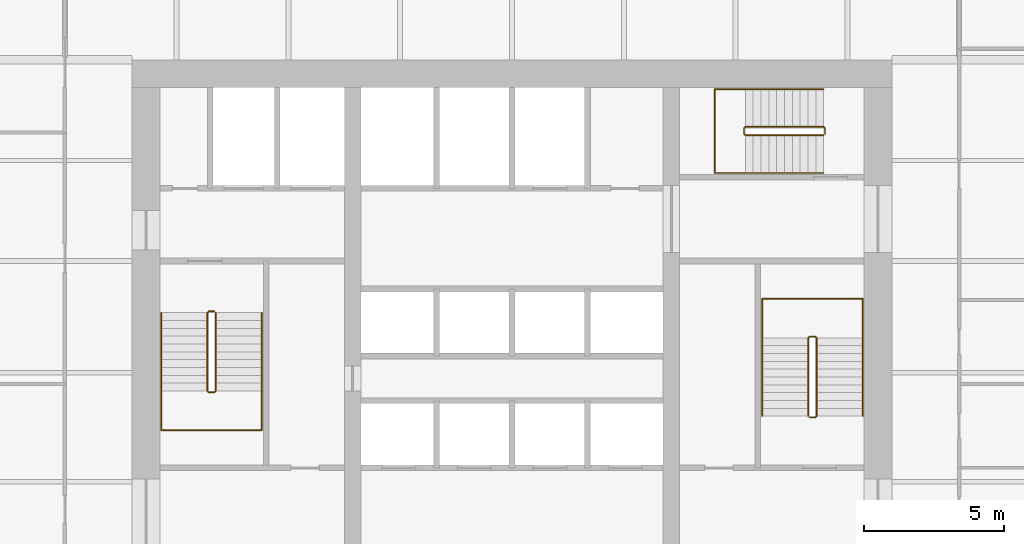
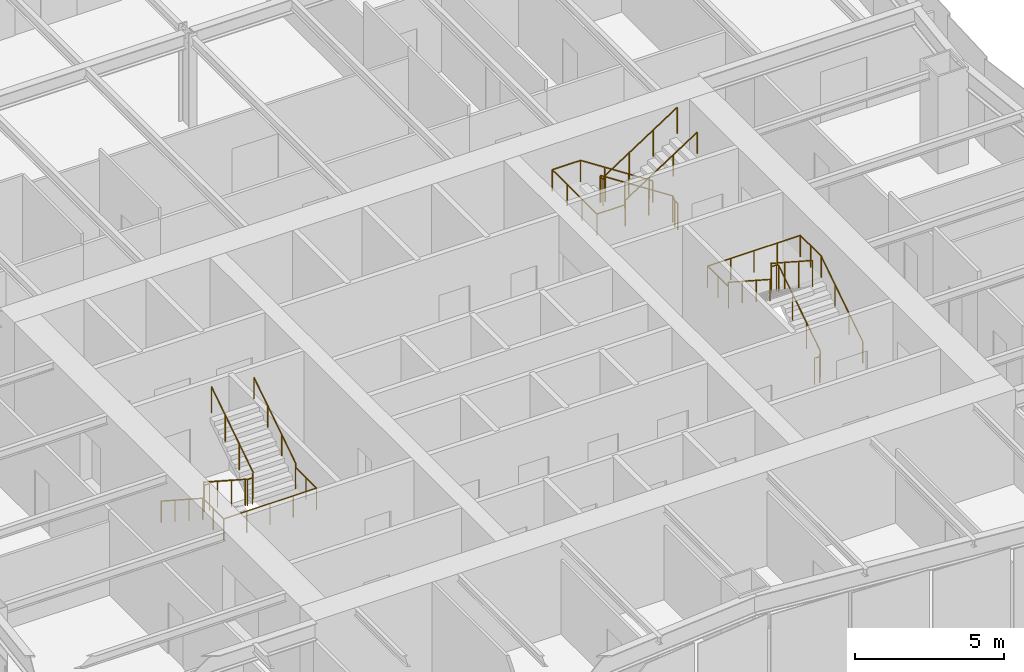
# One storey, part 8 of 8: 6 railings.
"""IFC4 building model written with IfcOpenShell, lengths in metres."""

from ifc_helpers import new_model, si_unit, direction, frame, origin, origin_2d, place, context, subcontext, project, spatial, circle, extrude, material, type_object, element, save


model = new_model("IFC4")

# Units and contexts
model_context = context("Model", 3, precision=1e-05, world=origin(), true_north=direction((0.0, 1.0)))
body_context = subcontext(model_context, "Body", "Model", "MODEL_VIEW")
ifc_project = project(units=[si_unit("LENGTHUNIT", "METRE"), si_unit("AREAUNIT", "SQUARE_METRE"), si_unit("VOLUMEUNIT", "CUBIC_METRE"), si_unit("PLANEANGLEUNIT", "RADIAN"), si_unit("MASSUNIT", "GRAM", prefix="KILO")], contexts=[model_context])

# Site, building, storey
site_placement = place(None, origin())
site = spatial("IfcSite", under=ifc_project, at=site_placement, CompositionType="ELEMENT")
building_placement = place(site_placement, origin())
building = spatial("IfcBuilding", under=site, at=building_placement, Name="Verdant Reach Tower", CompositionType="ELEMENT")
storey_placement = place(building_placement, frame((0.0, 0.0, 158.0)))
storey = spatial("IfcBuildingStorey", under=building, at=storey_placement, Name="L36", CompositionType="ELEMENT", Elevation=158.0)

# Railings
ifc_material = material(Name="Stainless steel", Category="steel")
railing_type_1 = type_object("IfcRailingType", Name="CO-GUARD", PredefinedType="GUARDRAIL", material=ifc_material)
railing_1_placement = place(storey_placement, frame((-10.64990234375, 29.60009765625, 0.0)))
element("IfcRailing", 1, at=railing_1_placement, inside=storey, type_object=railing_type_1, Name="L36 ST-1 stair guard 1", PredefinedType="GUARDRAIL", context=body_context, shape_type="SweptSolid", body=[
    extrude(circle(Radius=0.02392578125, at=origin_2d()), frame((0.0, 0.0, 1.076171875), z_axis=(-1.0, 0.0, 0.0), x_axis=(0.0, -1.0, 0.0)), (0.0, 0.0, 1.0), 0.2001953125),
    extrude(circle(Radius=0.02392578125, at=origin_2d()), frame((-0.2001953125, 0.0, 1.076171875), z_axis=(-0.25526617399, -0.256517478764, 0.932222056972), x_axis=(0.708833529934, -0.705375805398, 0.0)), (0.0, 0.0, 1.0), 0.195068359375),
    extrude(circle(Radius=0.02392578125, at=origin_2d()), frame((-0.25, -0.050048828125, 1.2578125), z_axis=(0.0, -0.838705829183, 0.544584733623), x_axis=(1.0, 0.0, 0.0)), (0.0, 0.0, 1.0), 3.338623046875),
    extrude(circle(Radius=0.02392578125, at=origin_2d()), frame((-0.25, -2.85009765625, 3.076171875), z_axis=(0.705375805398, -0.708833529934, 0.0), x_axis=(0.708833529934, 0.705375805398, 0.0)), (0.0, 0.0, 1.0), 0.070556640625),
    extrude(circle(Radius=0.02392578125, at=origin_2d()), frame((-0.2001953125, -2.900146484375, 3.076171875), z_axis=(1.0, 0.0, 0.0), x_axis=(0.0, 1.0, 0.0)), (0.0, 0.0, 1.0), 0.2001953125),
    extrude(circle(Radius=0.02392578125, at=origin_2d()), frame((0.0, -2.900146484375, 3.076171875), z_axis=(0.25526617399, 0.256517478764, 0.932222056972), x_axis=(-0.708833529934, 0.705375805398, 0.0)), (0.0, 0.0, 1.0), 0.195068359375),
    extrude(circle(Radius=0.02392578125, at=origin_2d()), frame((0.0498046875, -2.85009765625, 3.2578125), z_axis=(0.0, 0.838705829183, 0.544584733623), x_axis=(-1.0, 0.0, 0.0)), (0.0, 0.0, 1.0), 3.338623046875),
    extrude(circle(Radius=0.02099609375, at=origin_2d()), origin(), (0.0, 0.0, 1.0), 1.052001953125),
    extrude(circle(Radius=0.02099609375, at=origin_2d()), frame((-0.2001953125, 0.0, 0.0)), (0.0, 0.0, 1.0), 1.052001953125),
    extrude(circle(Radius=0.02099609375, at=origin_2d()), frame((-0.25, -0.050048828125, 0.181884765625)), (0.0, 0.0, 1.0), 1.052001953125),
    extrude(circle(Radius=0.02099609375, at=origin_2d()), frame((-0.25, -0.9833984375, 0.787841796875)), (0.0, 0.0, 1.0), 1.052001953125),
    extrude(circle(Radius=0.02099609375, at=origin_2d()), frame((-0.25, -1.916748046875, 1.39404296875)), (0.0, 0.0, 1.0), 1.052001953125),
    extrude(circle(Radius=0.02099609375, at=origin_2d()), frame((-0.25, -2.85009765625, 2.0)), (0.0, 0.0, 1.0), 1.052001953125),
    extrude(circle(Radius=0.02099609375, at=origin_2d()), frame((-0.2001953125, -2.900146484375, 2.0)), (0.0, 0.0, 1.0), 1.052001953125),
    extrude(circle(Radius=0.02099609375, at=origin_2d()), frame((0.0, -2.900146484375, 2.0)), (0.0, 0.0, 1.0), 1.052001953125),
    extrude(circle(Radius=0.02099609375, at=origin_2d()), frame((0.0498046875, -2.85009765625, 2.181884765625)), (0.0, 0.0, 1.0), 1.052001953125),
    extrude(circle(Radius=0.02099609375, at=origin_2d()), frame((0.0498046875, -1.916748046875, 2.787841796875)), (0.0, 0.0, 1.0), 1.052001953125),
    extrude(circle(Radius=0.02099609375, at=origin_2d()), frame((0.0498046875, -0.9833984375, 3.39404296875)), (0.0, 0.0, 1.0), 1.052001953125),
    extrude(circle(Radius=0.02099609375, at=origin_2d()), frame((0.0498046875, -0.050048828125, 4.0)), (0.0, 0.0, 1.0), 1.052001953125),
])
railing_2_placement = place(storey_placement, frame((10.64990234375, 25.800048828125, 0.0)))
element("IfcRailing", 2, at=railing_2_placement, inside=storey, type_object=railing_type_1, Name="L36 ST-2 stair guard 1", PredefinedType="GUARDRAIL", context=body_context, shape_type="SweptSolid", body=[
    extrude(circle(Radius=0.02392578125, at=origin_2d()), frame((0.0, 0.0, 1.076171875), z_axis=(1.0, 0.0, 0.0), x_axis=(0.0, 1.0, 0.0)), (0.0, 0.0, 1.0), 0.2001953125),
    extrude(circle(Radius=0.02392578125, at=origin_2d()), frame((0.2001953125, 0.0, 1.076171875), z_axis=(0.25526617399, 0.256517478764, 0.932222056972), x_axis=(-0.708833529934, 0.705375805398, 0.0)), (0.0, 0.0, 1.0), 0.195068359375),
    extrude(circle(Radius=0.02392578125, at=origin_2d()), frame((0.25, 0.050048828125, 1.2578125), z_axis=(0.0, 0.83868413941, 0.544618136222), x_axis=(-1.0, 0.0, 0.0)), (0.0, 0.0, 1.0), 3.33837890625),
    extrude(circle(Radius=0.02392578125, at=origin_2d()), frame((0.25, 2.849853515625, 3.076171875), z_axis=(-0.705375805398, 0.708833529934, 0.0), x_axis=(-0.708833529934, -0.705375805398, 0.0)), (0.0, 0.0, 1.0), 0.070556640625),
    extrude(circle(Radius=0.02392578125, at=origin_2d()), frame((0.2001953125, 2.89990234375, 3.076171875), z_axis=(-1.0, 0.0, 0.0), x_axis=(0.0, -1.0, 0.0)), (0.0, 0.0, 1.0), 0.2001953125),
    extrude(circle(Radius=0.02392578125, at=origin_2d()), frame((0.0, 2.89990234375, 3.076171875), z_axis=(-0.25526617399, -0.256517478764, 0.932222056972), x_axis=(0.708833529934, -0.705375805398, 0.0)), (0.0, 0.0, 1.0), 0.195068359375),
    extrude(circle(Radius=0.02392578125, at=origin_2d()), frame((-0.0498046875, 2.849853515625, 3.2578125), z_axis=(0.0, -0.83868413941, 0.544618136222), x_axis=(1.0, 0.0, 0.0)), (0.0, 0.0, 1.0), 3.33837890625),
    extrude(circle(Radius=0.02099609375, at=origin_2d()), origin(), (0.0, 0.0, 1.0), 1.052001953125),
    extrude(circle(Radius=0.02099609375, at=origin_2d()), frame((0.2001953125, 0.0, 0.0)), (0.0, 0.0, 1.0), 1.052001953125),
    extrude(circle(Radius=0.02099609375, at=origin_2d()), frame((0.25, 0.050048828125, 0.181884765625)), (0.0, 0.0, 1.0), 1.052001953125),
    extrude(circle(Radius=0.02099609375, at=origin_2d()), frame((0.25, 0.9833984375, 0.787841796875)), (0.0, 0.0, 1.0), 1.052001953125),
    extrude(circle(Radius=0.02099609375, at=origin_2d()), frame((0.25, 1.91650390625, 1.39404296875)), (0.0, 0.0, 1.0), 1.052001953125),
    extrude(circle(Radius=0.02099609375, at=origin_2d()), frame((0.25, 2.849853515625, 2.0)), (0.0, 0.0, 1.0), 1.052001953125),
    extrude(circle(Radius=0.02099609375, at=origin_2d()), frame((0.2001953125, 2.89990234375, 2.0)), (0.0, 0.0, 1.0), 1.052001953125),
    extrude(circle(Radius=0.02099609375, at=origin_2d()), frame((0.0, 2.89990234375, 2.0)), (0.0, 0.0, 1.0), 1.052001953125),
    extrude(circle(Radius=0.02099609375, at=origin_2d()), frame((-0.0498046875, 2.849853515625, 2.181884765625)), (0.0, 0.0, 1.0), 1.052001953125),
    extrude(circle(Radius=0.02099609375, at=origin_2d()), frame((-0.0498046875, 1.91650390625, 2.787841796875)), (0.0, 0.0, 1.0), 1.052001953125),
    extrude(circle(Radius=0.02099609375, at=origin_2d()), frame((-0.0498046875, 0.9833984375, 3.39404296875)), (0.0, 0.0, 1.0), 1.052001953125),
    extrude(circle(Radius=0.02099609375, at=origin_2d()), frame((-0.0498046875, 0.050048828125, 4.0)), (0.0, 0.0, 1.0), 1.052001953125),
])
railing_3_placement = place(storey_placement, frame((11.199951171875, 35.949951171875, 0.0)))
element("IfcRailing", 3, at=railing_3_placement, inside=storey, type_object=railing_type_1, Name="L36 ST-3 stair guard 1", PredefinedType="GUARDRAIL", context=body_context, shape_type="SweptSolid", body=[
    extrude(circle(Radius=0.02392578125, at=origin_2d()), frame((0.0, 0.0, 1.076171875), z_axis=(0.0, 1.0, 0.0), x_axis=(-1.0, 0.0, 0.0)), (0.0, 0.0, 1.0), 0.199951171875),
    extrude(circle(Radius=0.02392578125, at=origin_2d()), frame((0.0, 0.199951171875, 1.076171875), z_axis=(-0.256435381639, 0.256435381639, 0.931923704005), x_axis=(-0.707106781187, -0.707106781187, 0.0)), (0.0, 0.0, 1.0), 0.195068359375),
    extrude(circle(Radius=0.02392578125, at=origin_2d()), frame((-0.050048828125, 0.25, 1.2578125), z_axis=(-0.83868413941, 0.0, 0.544618136222), x_axis=(0.0, -1.0, 0.0)), (0.0, 0.0, 1.0), 3.33837890625),
    extrude(circle(Radius=0.02392578125, at=origin_2d()), frame((-2.849853515625, 0.25, 3.076171875), z_axis=(-0.707106781187, -0.707106781187, 0.0), x_axis=(0.707106781187, -0.707106781187, 0.0)), (0.0, 0.0, 1.0), 0.07080078125),
    extrude(circle(Radius=0.02392578125, at=origin_2d()), frame((-2.89990234375, 0.199951171875, 3.076171875), z_axis=(0.0, -1.0, 0.0), x_axis=(1.0, 0.0, 0.0)), (0.0, 0.0, 1.0), 0.199951171875),
    extrude(circle(Radius=0.02392578125, at=origin_2d()), frame((-2.89990234375, 0.0, 3.076171875), z_axis=(0.256435381639, -0.256435381639, 0.931923704005), x_axis=(0.707106781187, 0.707106781187, 0.0)), (0.0, 0.0, 1.0), 0.195068359375),
    extrude(circle(Radius=0.02392578125, at=origin_2d()), frame((-2.849853515625, -0.050048828125, 3.2578125), z_axis=(0.83868413941, 0.0, 0.544618136222), x_axis=(0.0, 1.0, 0.0)), (0.0, 0.0, 1.0), 3.33837890625),
    extrude(circle(Radius=0.02099609375, at=origin_2d()), origin(), (0.0, 0.0, 1.0), 1.052001953125),
    extrude(circle(Radius=0.02099609375, at=origin_2d()), frame((0.0, 0.199951171875, 0.0)), (0.0, 0.0, 1.0), 1.052001953125),
    extrude(circle(Radius=0.02099609375, at=origin_2d()), frame((-0.050048828125, 0.25, 0.181884765625)), (0.0, 0.0, 1.0), 1.052001953125),
    extrude(circle(Radius=0.02099609375, at=origin_2d()), frame((-0.9833984375, 0.25, 0.787841796875)), (0.0, 0.0, 1.0), 1.052001953125),
    extrude(circle(Radius=0.02099609375, at=origin_2d()), frame((-1.91650390625, 0.25, 1.39404296875)), (0.0, 0.0, 1.0), 1.052001953125),
    extrude(circle(Radius=0.02099609375, at=origin_2d()), frame((-2.849853515625, 0.25, 2.0)), (0.0, 0.0, 1.0), 1.052001953125),
    extrude(circle(Radius=0.02099609375, at=origin_2d()), frame((-2.89990234375, 0.199951171875, 2.0)), (0.0, 0.0, 1.0), 1.052001953125),
    extrude(circle(Radius=0.02099609375, at=origin_2d()), frame((-2.89990234375, 0.0, 2.0)), (0.0, 0.0, 1.0), 1.052001953125),
    extrude(circle(Radius=0.02099609375, at=origin_2d()), frame((-2.849853515625, -0.050048828125, 2.181884765625)), (0.0, 0.0, 1.0), 1.052001953125),
    extrude(circle(Radius=0.02099609375, at=origin_2d()), frame((-1.91650390625, -0.050048828125, 2.787841796875)), (0.0, 0.0, 1.0), 1.052001953125),
    extrude(circle(Radius=0.02099609375, at=origin_2d()), frame((-0.9833984375, -0.050048828125, 3.39404296875)), (0.0, 0.0, 1.0), 1.052001953125),
    extrude(circle(Radius=0.02099609375, at=origin_2d()), frame((-0.050048828125, -0.050048828125, 4.0)), (0.0, 0.0, 1.0), 1.052001953125),
])
railing_type_2 = type_object("IfcRailingType", Name="CO-HANDRAIL", PredefinedType="HANDRAIL", material=ifc_material)
railing_4_placement = place(storey_placement, frame((-12.550048828125, 29.550048828125, 0.181884765625)))
element("IfcRailing", 4, at=railing_4_placement, inside=storey, type_object=railing_type_2, Name="L36 ST-1 stair handrail 1", PredefinedType="HANDRAIL", context=body_context, shape_type="SweptSolid", body=[
    extrude(circle(Radius=0.02392578125, at=origin_2d()), frame((0.0, 0.0, 0.8759765625), z_axis=(0.0, -0.838705829183, 0.544584733623), x_axis=(1.0, 0.0, 0.0)), (0.0, 0.0, 1.0), 3.338623046875),
    extrude(circle(Radius=0.02392578125, at=origin_2d()), frame((0.0, -2.800048828125, 2.69384765625), z_axis=(0.0, -1.0, 0.0), x_axis=(1.0, 0.0, 0.0)), (0.0, 0.0, 1.0), 1.39990234375),
    extrude(circle(Radius=0.02392578125, at=origin_2d()), frame((0.0, -4.199951171875, 2.69384765625), z_axis=(1.0, 0.0, 0.0), x_axis=(0.0, 1.0, 0.0)), (0.0, 0.0, 1.0), 3.60009765625),
    extrude(circle(Radius=0.02392578125, at=origin_2d()), frame((3.60009765625, -4.199951171875, 2.69384765625), z_axis=(0.0, 1.0, 0.0), x_axis=(-1.0, 0.0, 0.0)), (0.0, 0.0, 1.0), 1.39990234375),
    extrude(circle(Radius=0.02392578125, at=origin_2d()), frame((3.60009765625, -2.800048828125, 2.69384765625), z_axis=(0.0, 0.0, 1.0), x_axis=(1.0, 0.0, 0.0)), (0.0, 0.0, 1.0), 0.181884765625),
    extrude(circle(Radius=0.02392578125, at=origin_2d()), frame((3.60009765625, -2.800048828125, 2.8759765625), z_axis=(0.0, 0.838705829183, 0.544584733623), x_axis=(-1.0, 0.0, 0.0)), (0.0, 0.0, 1.0), 3.338623046875),
    extrude(circle(Radius=0.02099609375, at=origin_2d()), origin(), (0.0, 0.0, 1.0), 0.851806640625),
    extrude(circle(Radius=0.02099609375, at=origin_2d()), frame((0.0, -0.933349609375, 0.60595703125)), (0.0, 0.0, 1.0), 0.851806640625),
    extrude(circle(Radius=0.02099609375, at=origin_2d()), frame((0.0, -1.86669921875, 1.212158203125)), (0.0, 0.0, 1.0), 0.851806640625),
    extrude(circle(Radius=0.02099609375, at=origin_2d()), frame((0.0, -2.800048828125, 1.818115234375)), (0.0, 0.0, 1.0), 0.851806640625),
    extrude(circle(Radius=0.02099609375, at=origin_2d()), frame((0.0, -3.5, 1.818115234375)), (0.0, 0.0, 1.0), 0.851806640625),
    extrude(circle(Radius=0.02099609375, at=origin_2d()), frame((0.0, -4.199951171875, 1.818115234375)), (0.0, 0.0, 1.0), 0.851806640625),
    extrude(circle(Radius=0.02099609375, at=origin_2d()), frame((0.89990234375, -4.199951171875, 1.818115234375)), (0.0, 0.0, 1.0), 0.851806640625),
    extrude(circle(Radius=0.02099609375, at=origin_2d()), frame((1.800048828125, -4.199951171875, 1.818115234375)), (0.0, 0.0, 1.0), 0.851806640625),
    extrude(circle(Radius=0.02099609375, at=origin_2d()), frame((2.7001953125, -4.199951171875, 1.818115234375)), (0.0, 0.0, 1.0), 0.851806640625),
    extrude(circle(Radius=0.02099609375, at=origin_2d()), frame((3.60009765625, -4.199951171875, 1.818115234375)), (0.0, 0.0, 1.0), 0.851806640625),
    extrude(circle(Radius=0.02099609375, at=origin_2d()), frame((3.60009765625, -3.5, 1.818115234375)), (0.0, 0.0, 1.0), 0.851806640625),
    extrude(circle(Radius=0.02099609375, at=origin_2d()), frame((3.60009765625, -2.800048828125, 1.818115234375)), (0.0, 0.0, 1.0), 0.851806640625),
    extrude(circle(Radius=0.02099609375, at=origin_2d()), frame((3.60009765625, -2.800048828125, 2.0)), (0.0, 0.0, 1.0), 0.851806640625),
    extrude(circle(Radius=0.02099609375, at=origin_2d()), frame((3.60009765625, -1.86669921875, 2.60595703125)), (0.0, 0.0, 1.0), 0.851806640625),
    extrude(circle(Radius=0.02099609375, at=origin_2d()), frame((3.60009765625, -0.933349609375, 3.212158203125)), (0.0, 0.0, 1.0), 0.851806640625),
    extrude(circle(Radius=0.02099609375, at=origin_2d()), frame((3.60009765625, 0.0, 3.818115234375)), (0.0, 0.0, 1.0), 0.851806640625),
])
railing_5_placement = place(storey_placement, frame((12.550048828125, 25.85009765625, 0.181884765625)))
element("IfcRailing", 5, at=railing_5_placement, inside=storey, type_object=railing_type_2, Name="L36 ST-2 stair handrail 1", PredefinedType="HANDRAIL", context=body_context, shape_type="SweptSolid", body=[
    extrude(circle(Radius=0.02392578125, at=origin_2d()), frame((0.0, 0.0, 0.8759765625), z_axis=(0.0, 0.83868413941, 0.544618136222), x_axis=(-1.0, 0.0, 0.0)), (0.0, 0.0, 1.0), 3.33837890625),
    extrude(circle(Radius=0.02392578125, at=origin_2d()), frame((0.0, 2.7998046875, 2.69384765625), z_axis=(0.0, 1.0, 0.0), x_axis=(-1.0, 0.0, 0.0)), (0.0, 0.0, 1.0), 1.400146484375),
    extrude(circle(Radius=0.02392578125, at=origin_2d()), frame((0.0, 4.199951171875, 2.69384765625), z_axis=(-1.0, 0.0, 0.0), x_axis=(0.0, -1.0, 0.0)), (0.0, 0.0, 1.0), 3.60009765625),
    extrude(circle(Radius=0.02392578125, at=origin_2d()), frame((-3.60009765625, 4.199951171875, 2.69384765625), z_axis=(0.0, -1.0, 0.0), x_axis=(1.0, 0.0, 0.0)), (0.0, 0.0, 1.0), 1.400146484375),
    extrude(circle(Radius=0.02392578125, at=origin_2d()), frame((-3.60009765625, 2.7998046875, 2.69384765625), z_axis=(0.0, 0.0, 1.0), x_axis=(1.0, 0.0, 0.0)), (0.0, 0.0, 1.0), 0.181884765625),
    extrude(circle(Radius=0.02392578125, at=origin_2d()), frame((-3.60009765625, 2.7998046875, 2.8759765625), z_axis=(0.0, -0.83868413941, 0.544618136222), x_axis=(1.0, 0.0, 0.0)), (0.0, 0.0, 1.0), 3.33837890625),
    extrude(circle(Radius=0.02099609375, at=origin_2d()), origin(), (0.0, 0.0, 1.0), 0.851806640625),
    extrude(circle(Radius=0.02099609375, at=origin_2d()), frame((0.0, 0.933349609375, 0.60595703125)), (0.0, 0.0, 1.0), 0.851806640625),
    extrude(circle(Radius=0.02099609375, at=origin_2d()), frame((0.0, 1.866455078125, 1.212158203125)), (0.0, 0.0, 1.0), 0.851806640625),
    extrude(circle(Radius=0.02099609375, at=origin_2d()), frame((0.0, 2.7998046875, 1.818115234375)), (0.0, 0.0, 1.0), 0.851806640625),
    extrude(circle(Radius=0.02099609375, at=origin_2d()), frame((0.0, 3.5, 1.818115234375)), (0.0, 0.0, 1.0), 0.851806640625),
    extrude(circle(Radius=0.02099609375, at=origin_2d()), frame((0.0, 4.199951171875, 1.818115234375)), (0.0, 0.0, 1.0), 0.851806640625),
    extrude(circle(Radius=0.02099609375, at=origin_2d()), frame((-0.89990234375, 4.199951171875, 1.818115234375)), (0.0, 0.0, 1.0), 0.851806640625),
    extrude(circle(Radius=0.02099609375, at=origin_2d()), frame((-1.800048828125, 4.199951171875, 1.818115234375)), (0.0, 0.0, 1.0), 0.851806640625),
    extrude(circle(Radius=0.02099609375, at=origin_2d()), frame((-2.7001953125, 4.199951171875, 1.818115234375)), (0.0, 0.0, 1.0), 0.851806640625),
    extrude(circle(Radius=0.02099609375, at=origin_2d()), frame((-3.60009765625, 4.199951171875, 1.818115234375)), (0.0, 0.0, 1.0), 0.851806640625),
    extrude(circle(Radius=0.02099609375, at=origin_2d()), frame((-3.60009765625, 3.5, 1.818115234375)), (0.0, 0.0, 1.0), 0.851806640625),
    extrude(circle(Radius=0.02099609375, at=origin_2d()), frame((-3.60009765625, 2.7998046875, 1.818115234375)), (0.0, 0.0, 1.0), 0.851806640625),
    extrude(circle(Radius=0.02099609375, at=origin_2d()), frame((-3.60009765625, 2.7998046875, 2.0)), (0.0, 0.0, 1.0), 0.851806640625),
    extrude(circle(Radius=0.02099609375, at=origin_2d()), frame((-3.60009765625, 1.866455078125, 2.60595703125)), (0.0, 0.0, 1.0), 0.851806640625),
    extrude(circle(Radius=0.02099609375, at=origin_2d()), frame((-3.60009765625, 0.933349609375, 3.212158203125)), (0.0, 0.0, 1.0), 0.851806640625),
    extrude(circle(Radius=0.02099609375, at=origin_2d()), frame((-3.60009765625, 0.0, 3.818115234375)), (0.0, 0.0, 1.0), 0.851806640625),
])
railing_6_placement = place(storey_placement, frame((11.14990234375, 37.550048828125, 0.181884765625)))
element("IfcRailing", 6, at=railing_6_placement, inside=storey, type_object=railing_type_2, Name="L36 ST-3 stair handrail 1", PredefinedType="HANDRAIL", context=body_context, shape_type="SweptSolid", body=[
    extrude(circle(Radius=0.02392578125, at=origin_2d()), frame((0.0, 0.0, 0.8759765625), z_axis=(-0.83868413941, 0.0, 0.544618136222), x_axis=(0.0, -1.0, 0.0)), (0.0, 0.0, 1.0), 3.33837890625),
    extrude(circle(Radius=0.02392578125, at=origin_2d()), frame((-2.7998046875, 0.0, 2.69384765625), z_axis=(-1.0, 0.0, 0.0), x_axis=(0.0, -1.0, 0.0)), (0.0, 0.0, 1.0), 1.10009765625),
    extrude(circle(Radius=0.02392578125, at=origin_2d()), frame((-3.89990234375, 0.0, 2.69384765625), z_axis=(0.0, -1.0, 0.0), x_axis=(1.0, 0.0, 0.0)), (0.0, 0.0, 1.0), 3.0),
    extrude(circle(Radius=0.02392578125, at=origin_2d()), frame((-3.89990234375, -3.0, 2.69384765625), z_axis=(1.0, 0.0, 0.0), x_axis=(0.0, 1.0, 0.0)), (0.0, 0.0, 1.0), 1.10009765625),
    extrude(circle(Radius=0.02392578125, at=origin_2d()), frame((-2.7998046875, -3.0, 2.69384765625), z_axis=(0.0, 0.0, 1.0), x_axis=(1.0, 0.0, 0.0)), (0.0, 0.0, 1.0), 0.181884765625),
    extrude(circle(Radius=0.02392578125, at=origin_2d()), frame((-2.7998046875, -3.0, 2.8759765625), z_axis=(0.83868413941, 0.0, 0.544618136222), x_axis=(0.0, 1.0, 0.0)), (0.0, 0.0, 1.0), 3.33837890625),
    extrude(circle(Radius=0.02099609375, at=origin_2d()), origin(), (0.0, 0.0, 1.0), 0.851806640625),
    extrude(circle(Radius=0.02099609375, at=origin_2d()), frame((-0.933349609375, 0.0, 0.60595703125)), (0.0, 0.0, 1.0), 0.851806640625),
    extrude(circle(Radius=0.02099609375, at=origin_2d()), frame((-1.866455078125, 0.0, 1.212158203125)), (0.0, 0.0, 1.0), 0.851806640625),
    extrude(circle(Radius=0.02099609375, at=origin_2d()), frame((-2.7998046875, 0.0, 1.818115234375)), (0.0, 0.0, 1.0), 0.851806640625),
    extrude(circle(Radius=0.02099609375, at=origin_2d()), frame((-3.89990234375, 0.0, 1.818115234375)), (0.0, 0.0, 1.0), 0.851806640625),
    extrude(circle(Radius=0.02099609375, at=origin_2d()), frame((-3.89990234375, -1.0, 1.818115234375)), (0.0, 0.0, 1.0), 0.851806640625),
    extrude(circle(Radius=0.02099609375, at=origin_2d()), frame((-3.89990234375, -2.0, 1.818115234375)), (0.0, 0.0, 1.0), 0.851806640625),
    extrude(circle(Radius=0.02099609375, at=origin_2d()), frame((-3.89990234375, -3.0, 1.818115234375)), (0.0, 0.0, 1.0), 0.851806640625),
    extrude(circle(Radius=0.02099609375, at=origin_2d()), frame((-2.7998046875, -3.0, 1.818115234375)), (0.0, 0.0, 1.0), 0.851806640625),
    extrude(circle(Radius=0.02099609375, at=origin_2d()), frame((-2.7998046875, -3.0, 2.0)), (0.0, 0.0, 1.0), 0.851806640625),
    extrude(circle(Radius=0.02099609375, at=origin_2d()), frame((-1.866455078125, -3.0, 2.60595703125)), (0.0, 0.0, 1.0), 0.851806640625),
    extrude(circle(Radius=0.02099609375, at=origin_2d()), frame((-0.933349609375, -3.0, 3.212158203125)), (0.0, 0.0, 1.0), 0.851806640625),
    extrude(circle(Radius=0.02099609375, at=origin_2d()), frame((0.0, -3.0, 3.818115234375)), (0.0, 0.0, 1.0), 0.851806640625),
])

save(model, "model.ifc")
